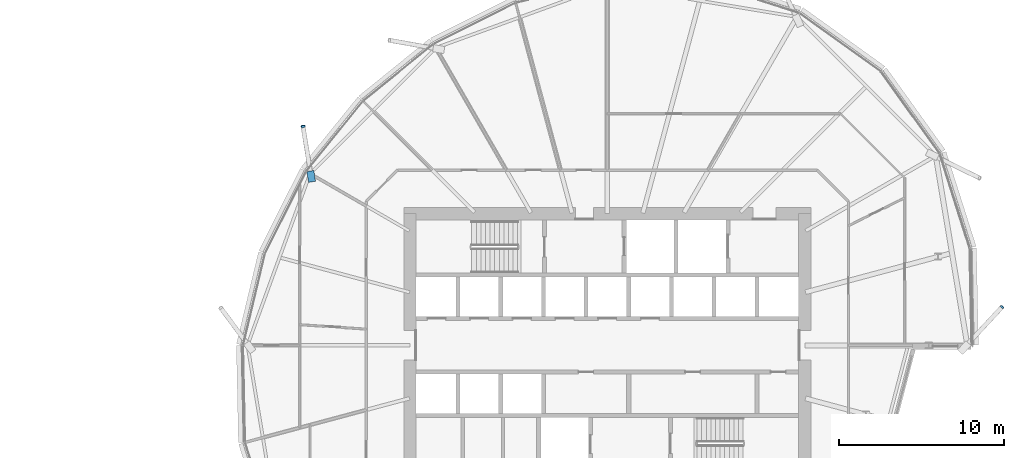
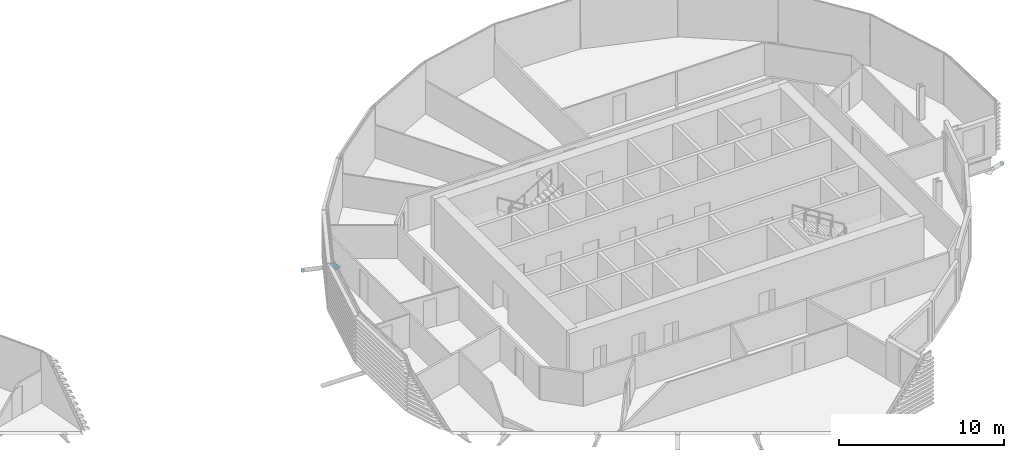
# One storey, part 31 of 39: 3 discrete accessories.
"""IFC4 building model written with IfcOpenShell, lengths in metres."""

from ifc_helpers import new_model, si_unit, direction, frame, origin, origin_2d, place, context, subcontext, project, spatial, polyline, rectangle, circle, outline, extrude, material, material_profile, profile_set, type_object, element, save


model = new_model("IFC4")

# Units and contexts
model_context = context("Model", 3, precision=1e-05, world=origin(), true_north=direction((0.0, 1.0)))
body_context = subcontext(model_context, "Body", "Model", "MODEL_VIEW")
ifc_project = project(units=[si_unit("LENGTHUNIT", "METRE"), si_unit("AREAUNIT", "SQUARE_METRE"), si_unit("VOLUMEUNIT", "CUBIC_METRE"), si_unit("PLANEANGLEUNIT", "RADIAN"), si_unit("MASSUNIT", "GRAM", prefix="KILO")], contexts=[model_context])

# Site, building, storey
site_placement = place(None, origin())
site = spatial("IfcSite", under=ifc_project, at=site_placement, CompositionType="ELEMENT")
building_placement = place(site_placement, origin())
building = spatial("IfcBuilding", under=site, at=building_placement, Name="Rimbun Link Towers", CompositionType="ELEMENT")
storey_placement = place(building_placement, frame((0.0, 0.0, 100.60009765625)))
storey = spatial("IfcBuildingStorey", under=building, at=storey_placement, Name="L24", CompositionType="ELEMENT", Elevation=100.60009765625)

# Discrete accessories
ifc_material_1 = material(Name="Steel S355J2H", Category="steel")
ifc_material_profile_1 = material_profile(ifc_material_1, circle(Radius=0.1240234375, at=origin_2d()), Name="PL D248")
ifc_profile_set_1 = profile_set([ifc_material_profile_1], Name="Steel S355J2H")
discrete_accessory_type_1 = type_object("IfcDiscreteAccessoryType", Name="Link foot sealing plate D248X20", PredefinedType="BRACKET", material=ifc_profile_set_1)
discrete_accessory_1_placement = place(storey_placement, frame((13.25146484375, 13.30078125, -2.5107421875), z_axis=(-0.134577342886, 0.831932665116, -0.538309371546), x_axis=(-0.987167398737, -0.159688843913, 0.0)))
element("IfcDiscreteAccessory", 1, at=discrete_accessory_1_placement, inside=storey, type_object=discrete_accessory_type_1, Name="Link foot sealing plate T2 L24 07", PredefinedType="BRACKET", context=body_context, shape_type="SweptSolid", body=[
    extrude(circle(Radius=0.1240234375, at=origin_2d()), origin(), (0.0, 0.0, 1.0), 0.02001953125),
])
discrete_accessory_2_placement = place(storey_placement, frame((55.72998046875, 2.32470703125, -2.838134765625), z_axis=(0.604110155855, 0.653425270619, -0.456164811564), x_axis=(-0.734272068275, 0.678855308406, 0.0)))
element("IfcDiscreteAccessory", 2, at=discrete_accessory_2_placement, inside=storey, type_object=discrete_accessory_type_1, Name="Link foot sealing plate T2 L24 21", PredefinedType="BRACKET", context=body_context, shape_type="SweptSolid", body=[
    extrude(circle(Radius=0.1240234375, at=origin_2d()), origin(), (0.0, 0.0, 1.0), 0.019775390625),
])
ifc_material_2 = material(Name="Steel S355J2H", Category="steel")
ifc_material_profile_2 = material_profile(ifc_material_2, rectangle(XDim=0.43310546875, YDim=0.43310546875, at=origin_2d()), Name="PL 433x433")
ifc_profile_set_2 = profile_set([ifc_material_profile_2], Name="Steel S355J2H")
discrete_accessory_type_2 = type_object("IfcDiscreteAccessoryType", Name="Link head end plate 433X20", PredefinedType="BRACKET", material=ifc_profile_set_2)
discrete_accessory_3_placement = place(storey_placement, frame((0.0, 0.0, -0.53515625)))
element("IfcDiscreteAccessory", 3, at=discrete_accessory_3_placement, inside=storey, type_object=discrete_accessory_type_2, Name="Link head end plate T2 L24 07", PredefinedType="BRACKET", context=body_context, shape_type="SweptSolid", body=[
    extrude(outline(polyline([(14.011962890625, 9.968994140625), (13.9052734375, 10.6259765625), (13.477783203125, 10.556396484375), (13.584716796875, 9.899658203125), (14.011962890625, 9.968994140625)])), origin(), (0.0, 0.0, 1.0), 0.02001953125),
])

save(model, "model.ifc")
